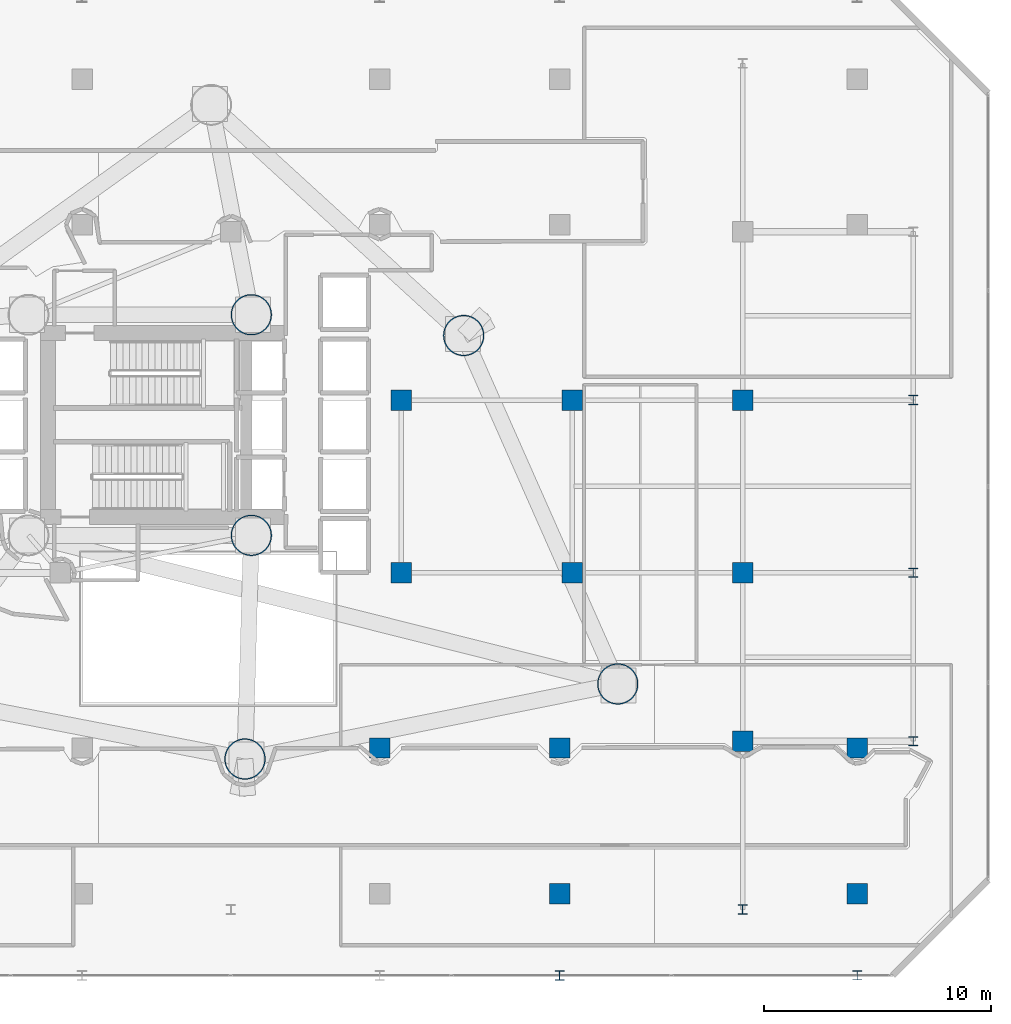
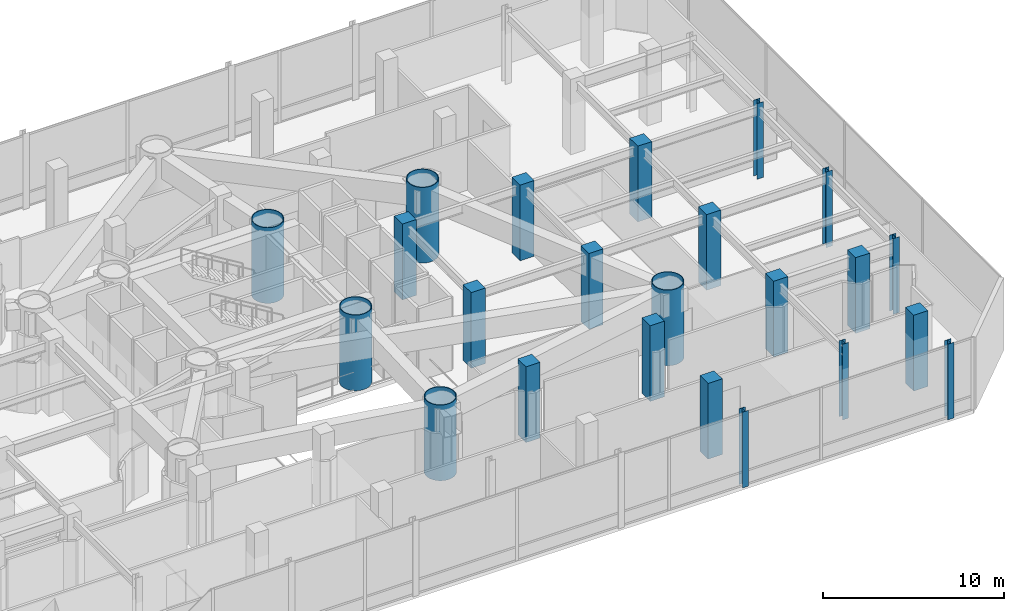
# One storey, part 2 of 40: 23 columns.
"""IFC4 building model written with IfcOpenShell, lengths in metres."""

from ifc_helpers import new_model, si_unit, direction, frame, origin, origin_2d, place, context, subcontext, project, spatial, rectangle, hollow_circle, i_section, extrude, material, material_profile, profile_set, type_object, element, save


model = new_model("IFC4")

# Units and contexts
model_context = context("Model", 3, precision=1e-05, world=origin(), true_north=direction((0.0, 1.0)))
body_context = subcontext(model_context, "Body", "Model", "MODEL_VIEW")
ifc_project = project(units=[si_unit("LENGTHUNIT", "METRE"), si_unit("AREAUNIT", "SQUARE_METRE"), si_unit("VOLUMEUNIT", "CUBIC_METRE"), si_unit("PLANEANGLEUNIT", "RADIAN"), si_unit("MASSUNIT", "GRAM", prefix="KILO")], contexts=[model_context])

# Site, building, storey
site_placement = place(None, origin())
site = spatial("IfcSite", under=ifc_project, at=site_placement, CompositionType="ELEMENT")
building_placement = place(site_placement, origin())
building = spatial("IfcBuilding", under=site, at=building_placement, Name="Qianvela Tower", CompositionType="ELEMENT")
storey_placement = place(building_placement, frame((0.0, 0.0, 20.60009765625)))
storey = spatial("IfcBuildingStorey", under=building, at=storey_placement, Name="L04", CompositionType="ELEMENT", Elevation=20.60009765625)

# Columns
ifc_material_1 = material(Name="Steel Q420GJC", Category="steel")
ifc_material_profile_1 = material_profile(ifc_material_1, hollow_circle(Radius=0.89990234375, WallThickness=0.044921875, at=origin_2d()), Name="CFT-1800x45")
ifc_profile_set_1 = profile_set([ifc_material_profile_1], Name="Steel Q420GJC")
column_type_1 = type_object("IfcColumnType", Name="COL-CFT-1800x45", PredefinedType="COLUMN", material=ifc_profile_set_1)
for number, where, z_axis, x_axis, name in (
    (1, (38.39990234375, 33.550048828125, 0.0), (0.0, 0.0, 1.0), (1.0, 0.0, 0.0), "L04 Core Corner Mega-Column CC-NE"),
    (2, (38.39990234375, 23.85009765625, 0.0), (0.0, 0.0, 1.0), (1.0, 0.0, 0.0), "L04 Core Corner Mega-Column CC-SE"),
    (3, (54.511962890625, 17.31689453125, 0.0), (0.0, 0.0, 1.0), (1.0, 0.0, 0.0), "L04 Tower Base CFT Mega-Column C1"),
    (4, (47.736083984375, 32.636962890625, 0.0), (0.0, 0.0, 1.0), (1.0, 0.0, 0.0), "L04 Tower Base CFT Mega-Column C2"),
    (5, (38.1201171875, 14.01611328125, 0.0), (0.0, 0.0, 1.0), (1.0, 0.0, 0.0), "L04 Tower Base CFT Mega-Column C6"),
):
    element("IfcColumn", number, at=place(storey_placement, frame(where, z_axis=z_axis, x_axis=x_axis)), inside=storey, type_object=column_type_1, Name=name, PredefinedType="COLUMN", context=body_context, shape_type="SweptSolid", body=[
        extrude(hollow_circle(Radius=0.89990234375, WallThickness=0.044921875, at=origin_2d()), origin(), (0.0, 0.0, 1.0), 5.099853515625),
    ])
ifc_material_2 = material(Name="Steel Q355B", Category="steel")
ifc_material_profile_2 = material_profile(ifc_material_2, i_section(OverallWidth=0.39990234375, OverallDepth=0.39990234375, WebThickness=0.012939453125, FlangeThickness=0.02099609375, at=origin_2d()), Name="HW400x400x13x21")
ifc_profile_set_2 = profile_set([ifc_material_profile_2], Name="Steel Q355B")
column_type_2 = type_object("IfcColumnType", Name="COL-HW-400", PredefinedType="COLUMN", material=ifc_profile_set_2)
for number, where, z_axis, x_axis, name in (
    (6, (60.0, 7.39990234375, 0.0), (0.0, 0.0, 1.0), (1.0, 0.0, 0.0), "L04 Podium Grid Column P38"),
    (7, (67.5, 14.800048828125, 0.0), (0.0, 0.0, 1.0), (1.0, 0.0, 0.0), "L04 Podium Grid Column P44"),
    (8, (67.5, 22.199951171875, 0.0), (0.0, 0.0, 1.0), (1.0, 0.0, 0.0), "L04 Podium Grid Column P45"),
    (9, (67.5, 29.800048828125, 0.0), (0.0, 0.0, 1.0), (1.0, 0.0, 0.0), "L04 Podium Grid Column P46"),
    (10, (51.955322265625, 4.5, 0.0), (0.0, 0.0, 1.0), (1.0, 0.0, 0.0), "L04 V-Column Transfer Post VC-S3-L"),
    (11, (65.044677734375, 4.5, 0.0), (0.0, 0.0, 1.0), (1.0, 0.0, 0.0), "L04 V-Column Transfer Post VC-S3-R"),
):
    element("IfcColumn", number, at=place(storey_placement, frame(where, z_axis=z_axis, x_axis=x_axis)), inside=storey, type_object=column_type_2, Name=name, PredefinedType="COLUMN", context=body_context, shape_type="SweptSolid", body=[
        extrude(i_section(OverallWidth=0.39990234375, OverallDepth=0.39990234375, WebThickness=0.012939453125, FlangeThickness=0.02099609375, at=origin_2d()), origin(), (0.0, 0.0, 1.0), 5.099853515625),
    ])
ifc_material_3 = material(Name="Concrete C60", Category="concrete")
ifc_material_profile_3 = material_profile(ifc_material_3, rectangle(XDim=0.89990234375, YDim=0.89990234375, at=origin_2d()), Name="RC-COL-900x900")
ifc_profile_set_3 = profile_set([ifc_material_profile_3], Name="Concrete C60")
column_type_3 = type_object("IfcColumnType", Name="COL-RC-900", PredefinedType="COLUMN", material=ifc_profile_set_3)
for number, where, z_axis, x_axis, name in (
    (12, (44.044677734375, 14.5, 0.0), (0.0, 0.0, 1.0), (1.0, 0.0, 0.0), "L04 Concourse Colonnade Column VC-S2-R-B2"),
    (13, (51.955322265625, 8.10009765625, 0.0), (0.0, 0.0, 1.0), (1.0, 0.0, 0.0), "L04 Concourse Colonnade Column VC-S3-L-B1"),
    (14, (51.955322265625, 14.5, 0.0), (0.0, 0.0, 1.0), (1.0, 0.0, 0.0), "L04 Concourse Colonnade Column VC-S3-L-B2"),
    (15, (65.044677734375, 8.10009765625, 0.0), (0.0, 0.0, 1.0), (1.0, 0.0, 0.0), "L04 Concourse Colonnade Column VC-S3-R-B1"),
    (16, (65.044677734375, 14.5, 0.0), (0.0, 0.0, 1.0), (1.0, 0.0, 0.0), "L04 Concourse Colonnade Column VC-S3-R-B2"),
    (17, (45.0, 22.199951171875, 0.0), (0.0, 0.0, 1.0), (1.0, 0.0, 0.0), "L04 Podium Grid Column P28"),
    (18, (45.0, 29.800048828125, 0.0), (0.0, 0.0, 1.0), (1.0, 0.0, 0.0), "L04 Podium Grid Column P29"),
    (19, (52.5, 22.199951171875, 0.0), (0.0, 0.0, 1.0), (1.0, 0.0, 0.0), "L04 Podium Grid Column P34"),
    (20, (52.5, 29.800048828125, 0.0), (0.0, 0.0, 1.0), (1.0, 0.0, 0.0), "L04 Podium Grid Column P35"),
    (21, (60.0, 14.800048828125, 0.0), (0.0, 0.0, 1.0), (1.0, 0.0, 0.0), "L04 Podium Grid Column P39"),
    (22, (60.0, 22.199951171875, 0.0), (0.0, 0.0, 1.0), (1.0, 0.0, 0.0), "L04 Podium Grid Column P40"),
    (23, (60.0, 29.800048828125, 0.0), (0.0, 0.0, 1.0), (1.0, 0.0, 0.0), "L04 Podium Grid Column P41"),
):
    element("IfcColumn", number, at=place(storey_placement, frame(where, z_axis=z_axis, x_axis=x_axis)), inside=storey, type_object=column_type_3, Name=name, PredefinedType="COLUMN", context=body_context, shape_type="SweptSolid", body=[
        extrude(rectangle(XDim=0.89990234375, YDim=0.89990234375, at=origin_2d()), origin(), (0.0, 0.0, 1.0), 5.099853515625),
    ])

save(model, "model.ifc")
